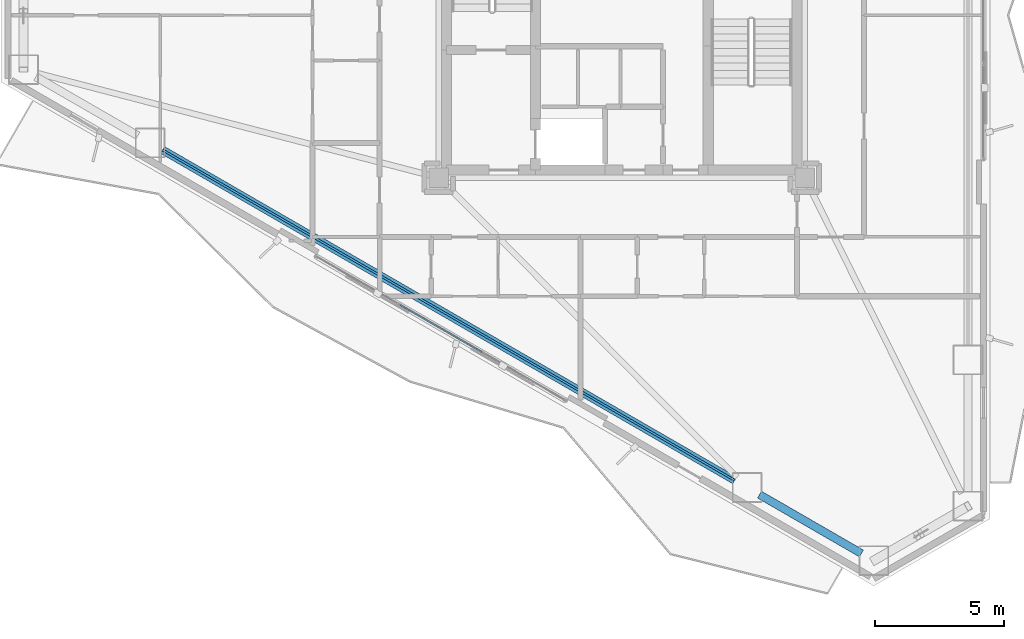
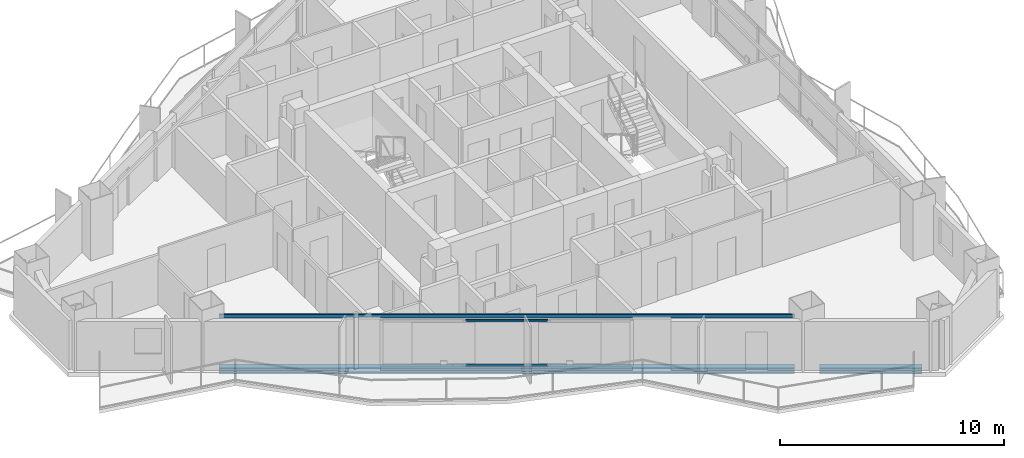
# One storey, part 3 of 23: 3 beams, 2 members, 1 element without a shape of its own.
"""IFC4 building model written with IfcOpenShell, lengths in metres."""

from ifc_helpers import new_model, si_unit, direction, frame, origin, origin_2d, place, context, subcontext, project, spatial, hollow_rectangle, i_section, extrude, material, layer, layer_set, material_profile, profile_set, type_object, element, aggregate, save


model = new_model("IFC4")

# Units and contexts
model_context = context("Model", 3, precision=1e-05, world=origin(), true_north=direction((0.0, 1.0)))
body_context = subcontext(model_context, "Body", "Model", "MODEL_VIEW")
ifc_project = project(units=[si_unit("LENGTHUNIT", "METRE"), si_unit("AREAUNIT", "SQUARE_METRE"), si_unit("VOLUMEUNIT", "CUBIC_METRE"), si_unit("PLANEANGLEUNIT", "RADIAN"), si_unit("MASSUNIT", "GRAM", prefix="KILO")], contexts=[model_context])

# Site, building, storey
site_placement = place(None, origin())
site = spatial("IfcSite", under=ifc_project, at=site_placement, CompositionType="ELEMENT")
building_placement = place(site_placement, origin())
building = spatial("IfcBuilding", under=site, at=building_placement, Name="Mersakhor Tower and Convention Hall", CompositionType="ELEMENT")
storey_placement = place(building_placement, frame((0.0, 0.0, 96.60009765625)))
storey = spatial("IfcBuildingStorey", under=building, at=storey_placement, Name="L26", CompositionType="ELEMENT", Elevation=96.60009765625)

# Beams
ifc_material_1 = material(Name="Steel S355", Category="steel")
ifc_material_profile_1 = material_profile(ifc_material_1, hollow_rectangle(XDim=0.080078125, YDim=0.179931640625, WallThickness=0.008056640625, at=origin_2d()), Name="RHS 180x80x8")
ifc_profile_set_1 = profile_set([ifc_material_profile_1], Name="Steel S355")
beam_type_1 = type_object("IfcBeamType", Name="BM-GRT-RHS180", PredefinedType="USERDEFINED", material=ifc_profile_set_1)
beam_1_placement = place(storey_placement, frame((33.38232421875, 8.706787109375, 2.47998046875), z_axis=(-0.866022538643, 0.500004962538, 0.0), x_axis=(-0.500004962538, -0.866022538643, 0.0)))
element("IfcBeam", 1, at=beam_1_placement, inside=storey, type_object=beam_type_1, Name="L26 Facade Support Girt GRT-F3", ObjectType="GIRT", PredefinedType="USERDEFINED", context=body_context, shape_type="SweptSolid", body=[
    extrude(hollow_rectangle(XDim=0.080078125, YDim=0.179931640625, WallThickness=0.008056640625, at=origin_2d()), origin(), (0.0, 0.0, 1.0), 25.633544921875),
])
ifc_material_2 = material(Name="Steel S355", Category="steel")
ifc_material_profile_2 = material_profile(ifc_material_2, i_section(OverallWidth=0.30908203125, OverallDepth=0.320556640625, WebThickness=0.013916015625, FlangeThickness=0.021728515625, at=origin_2d()), Name="UC 305x305x137")
ifc_profile_set_2 = profile_set([ifc_material_profile_2], Name="Steel S355")
beam_type_2 = type_object("IfcBeamType", Name="BM-SPD-UC305", PredefinedType="SPANDREL", material=ifc_profile_set_2)
beam_2_placement = place(storey_placement, frame((38.298095703125, 5.868896484375, -0.410400390625), z_axis=(-0.866046694585, 0.499963121439, 0.0), x_axis=(-0.499963121439, -0.866046694585, 0.0)))
element("IfcBeam", 2, at=beam_2_placement, inside=storey, type_object=beam_type_2, Name="L26 Perimeter Spandrel Beam SPB-09", PredefinedType="SPANDREL", context=body_context, shape_type="SweptSolid", body=[
    extrude(i_section(OverallWidth=0.30908203125, OverallDepth=0.320556640625, WebThickness=0.013916015625, FlangeThickness=0.021728515625, at=origin_2d()), origin(), (0.0, 0.0, 1.0), 4.566162109375),
])
beam_3_placement = place(storey_placement, frame((33.38232421875, 8.706787109375, -0.410400390625), z_axis=(-0.866022538643, 0.500004962538, 0.0), x_axis=(-0.500004962538, -0.866022538643, 0.0)))
element("IfcBeam", 3, at=beam_3_placement, inside=storey, type_object=beam_type_2, Name="L26 Perimeter Spandrel Beam SPB-10", PredefinedType="SPANDREL", context=body_context, shape_type="SweptSolid", body=[
    extrude(i_section(OverallWidth=0.30908203125, OverallDepth=0.320556640625, WebThickness=0.013916015625, FlangeThickness=0.021728515625, at=origin_2d()), origin(), (0.0, 0.0, 1.0), 25.633544921875),
])

# Curtain wall, members
ifc_material_3 = material(Name="Dark solar low-E aluminium curtain wall", Category="aluminium")
ifc_layer = layer(ifc_material_3, 0.159912109375)
ifc_layer_set = layer_set([ifc_layer], Name="Dark solar low-E aluminium curtain wall")
curtain_wall_type = type_object("IfcCurtainWallType", Name="CW-SYS-01", PredefinedType="USERDEFINED", material=ifc_layer_set)
curtain_wall_placement = place(storey_placement, origin())
curtain_wall = element("IfcCurtainWall", 4, at=curtain_wall_placement, inside=storey, type_object=curtain_wall_type, Name="L26 Dark-Glass Curtain Wall F3-B2", ObjectType="CURTAIN WALL", PredefinedType="USERDEFINED")
ifc_material_4 = material(Name="Anodised aluminium EN AW-6063 T6", Category="aluminium")
ifc_material_profile_3 = material_profile(ifc_material_4, hollow_rectangle(XDim=0.06005859375, YDim=0.1201171875, WallThickness=0.0048828125, at=origin_2d()), Name="RHS 120x60x5")
ifc_profile_set_3 = profile_set([ifc_material_profile_3], Name="Anodised aluminium EN AW-6063 T6")
member_type = type_object("IfcMemberType", Name="CWT-120x60", PredefinedType="USERDEFINED", material=ifc_profile_set_3)
member_1_placement = place(storey_placement, frame((23.571044921875, 13.6787109375, 0.22998046875), z_axis=(-0.866039286129, 0.499975954304, 0.0), x_axis=(-0.499975954304, -0.866039286129, 0.0)))
member_1 = element("IfcMember", 5, at=member_1_placement, type_object=member_type, Name="CW-01 transom 2.1", ObjectType="TRANSOM", PredefinedType="USERDEFINED", context=body_context, shape_type="SweptSolid", body=[
    extrude(hollow_rectangle(XDim=0.06005859375, YDim=0.1201171875, WallThickness=0.0048828125, at=origin_2d()), origin(), (0.0, 0.0, 1.0), 3.668212890625),
])
member_2_placement = place(storey_placement, frame((23.571044921875, 13.6787109375, 2.639892578125), z_axis=(-0.866039286129, 0.499975954304, 0.0), x_axis=(-0.499975954304, -0.866039286129, 0.0)))
member_2 = element("IfcMember", 6, at=member_2_placement, type_object=member_type, Name="CW-01 transom 2.2", ObjectType="TRANSOM", PredefinedType="USERDEFINED", context=body_context, shape_type="SweptSolid", body=[
    extrude(hollow_rectangle(XDim=0.06005859375, YDim=0.1201171875, WallThickness=0.0048828125, at=origin_2d()), origin(), (0.0, 0.0, 1.0), 3.668212890625),
])
aggregate(curtain_wall, [member_1, member_2])

save(model, "model.ifc")
